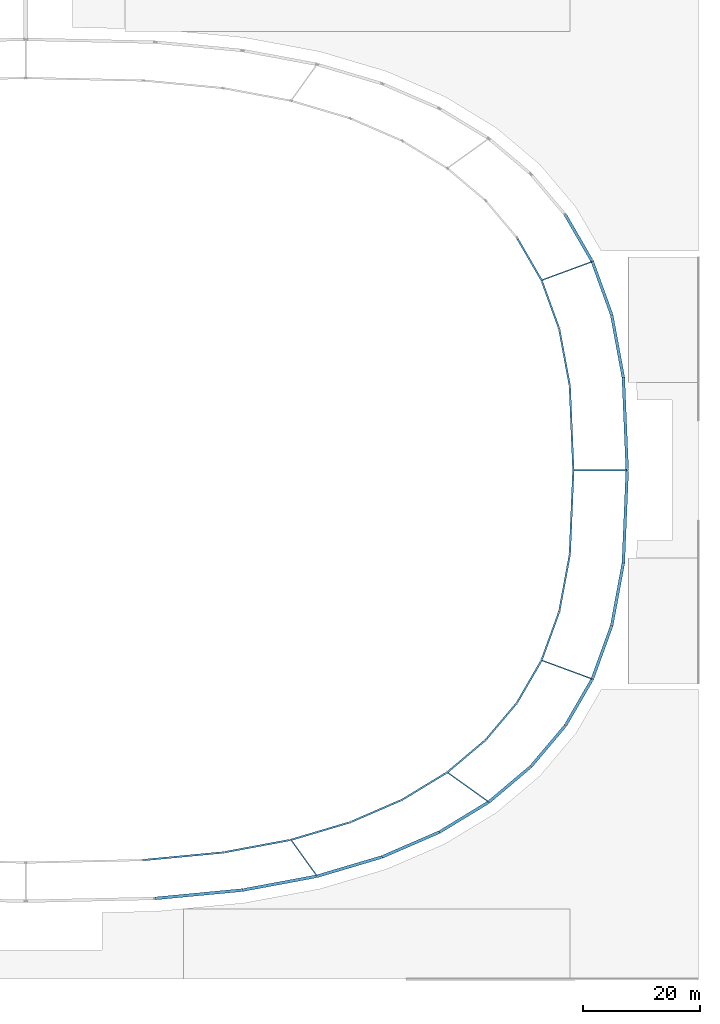
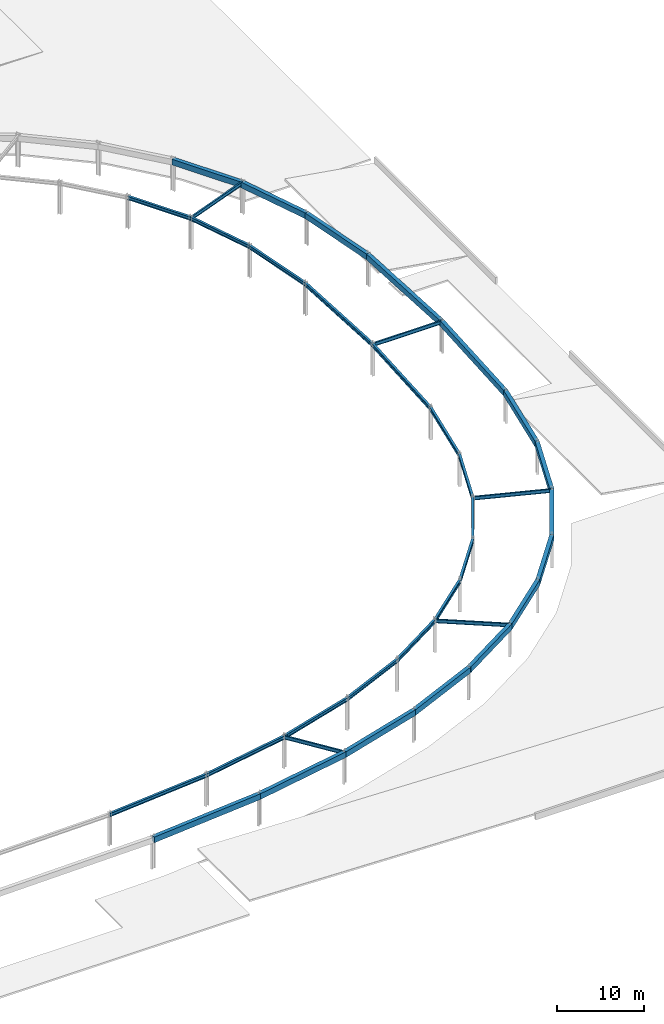
# One storey, part 23 of 45: 35 beams.
"""IFC4 building model written with IfcOpenShell, lengths in metres."""

import ifcopenshell
import ifcopenshell.guid

model = None  # the IFC model being written
_history = None  # IfcOwnerHistory: only IFC2X3 demands one
_inside = {}  # id of a spatial element -> (the spatial element, [elements in it])
_under = {}  # id of a project, library or spatial element -> (it, [spatial elements below it])
_declared = {}  # id of a project -> (the project, [libraries it declares])
_typed = {}  # id of a type object -> (the type object, [elements of that type])
_made_of = {}  # id of a material, layer set ... -> (it, [elements and type objects made of it])


def new_model(schema):
    """Start an empty IFC model of exactly this schema.

    Asked for "IFC4X3", IfcOpenShell would pick the latest addendum, in which some entities
    have other attributes; the version numbers below select the first issue.
    IFC2X3 requires an IfcOwnerHistory on every rooted entity: one is made here for all.
    """
    global model, _history
    if schema == "IFC4X3":
        model = ifcopenshell.file(schema_version=(4, 3, 0, 0))
    else:
        model = ifcopenshell.file(schema=schema)
    _inside.clear()
    _under.clear()
    _declared.clear()
    _typed.clear()
    _made_of.clear()
    _history = None
    if model.schema == "IFC2X3":
        org = make("IfcOrganization", Name="unknown")
        user = make(
            "IfcPersonAndOrganization",
            ThePerson=make("IfcPerson", FamilyName="unknown"),
            TheOrganization=org,
        )
        app = make(
            "IfcApplication",
            ApplicationDeveloper=org,
            Version="unknown",
            ApplicationFullName="unknown",
            ApplicationIdentifier="unknown",
        )
        _history = make(
            "IfcOwnerHistory",
            OwningUser=user,
            OwningApplication=app,
            ChangeAction="ADDED",
            CreationDate=0,
        )
    return model


def make(cls, **values):
    """One entity of the class cls with the attributes given. An attribute that is None is left unset."""
    return model.create_entity(
        cls, **{name: value for name, value in values.items() if value is not None}
    )


def rooted(cls, **values):
    """An entity with a GlobalId (a new one), such as an element, a storey or a relation."""
    return make(cls, GlobalId=ifcopenshell.guid.new(), OwnerHistory=_history, **values)


def si_unit(unit_type, name, prefix=None):
    """IfcSIUnit, for example si_unit("LENGTHUNIT", "METRE", prefix="MILLI")."""
    return make("IfcSIUnit", UnitType=unit_type, Prefix=prefix, Name=name)


def assignment(units):
    """IfcUnitAssignment: the units of a project."""
    return None if units is None else make("IfcUnitAssignment", Units=units)


def point(xyz):
    """IfcCartesianPoint."""
    return None if xyz is None else make("IfcCartesianPoint", Coordinates=xyz)


def direction(xyz):
    """IfcDirection."""
    return None if xyz is None else make("IfcDirection", DirectionRatios=xyz)


def frame(location, z_axis=None, x_axis=None):
    """IfcAxis2Placement3D, a coordinate frame: its origin and axes. An axis left out is left unset."""
    return make(
        "IfcAxis2Placement3D",
        Location=point(location),
        Axis=direction(z_axis),
        RefDirection=direction(x_axis),
    )


def frame_2d(location, x_axis=None):
    """IfcAxis2Placement2D, a coordinate frame in the plane: its origin and x axis."""
    return make(
        "IfcAxis2Placement2D", Location=point(location), RefDirection=direction(x_axis)
    )


def origin():
    """The frame at (0, 0, 0) with its axes left unset."""
    return frame((0.0, 0.0, 0.0))


def origin_2d():
    """The frame at (0, 0) in the plane with its x axis left unset."""
    return frame_2d((0.0, 0.0))


def place(relative_to, where):
    """IfcLocalPlacement: puts the frame where relative to a parent placement (None: the world)."""
    return make(
        "IfcLocalPlacement", PlacementRelTo=relative_to, RelativePlacement=where
    )


def context(
    kind, dimensions, precision=None, world=None, true_north=None, identifier=None
):
    """IfcGeometricRepresentationContext, for example the 3D "Model" context."""
    return make(
        "IfcGeometricRepresentationContext",
        ContextIdentifier=identifier,
        ContextType=kind,
        CoordinateSpaceDimension=dimensions,
        Precision=precision,
        WorldCoordinateSystem=world,
        TrueNorth=true_north,
    )


def subcontext(parent, identifier, kind, view, scale=None):
    """IfcGeometricRepresentationSubContext, for example "Body" below "Model"."""
    return make(
        "IfcGeometricRepresentationSubContext",
        ContextIdentifier=identifier,
        ContextType=kind,
        ParentContext=parent,
        TargetScale=scale,
        TargetView=view,
    )


def project(units=None, contexts=None):
    """IfcProject with its units and contexts."""
    return rooted(
        "IfcProject",
        Name="project",
        RepresentationContexts=contexts,
        UnitsInContext=assignment(units),
    )


def spatial(cls, under=None, at=None, **own):
    """A site, building, storey or space (cls), placed at a placement, below another one or the project."""
    s = rooted(cls, ObjectPlacement=at, **own)
    if under is not None:
        _under.setdefault(under.id(), (under, []))[1].append(s)
    return s


def profile(cls, at=None, kind="AREA", **sizes):
    """A parametric profile (cls). Its sizes go by their IFC names, for example OverallWidth=200.0."""
    return make(cls, ProfileType=kind, Position=at, **sizes)


def rectangle(**sizes):
    """IfcRectangleProfileDef."""
    return profile("IfcRectangleProfileDef", **sizes)


def i_section(**sizes):
    """IfcIShapeProfileDef."""
    return profile("IfcIShapeProfileDef", **sizes)


def extrude(swept, where, along, depth):
    """IfcExtrudedAreaSolid: the profile swept, set in the frame where, extruded along a direction by depth."""
    return make(
        "IfcExtrudedAreaSolid",
        SweptArea=swept,
        Position=where,
        ExtrudedDirection=direction(along),
        Depth=depth,
    )


def shape(context_of_items, identifier, shape_type, items):
    """IfcShapeRepresentation: the items that make up one representation, for example the "Body"."""
    return make(
        "IfcShapeRepresentation",
        ContextOfItems=context_of_items,
        RepresentationIdentifier=identifier,
        RepresentationType=shape_type,
        Items=items,
    )


def material(Name=None, Category=None):
    """IfcMaterial."""
    return make("IfcMaterial", Name=Name, Category=Category)


def material_profile(
    of_material, cross_section, Name=None, Category=None, Priority=None
):
    """IfcMaterialProfile: a cross section and its material."""
    return make(
        "IfcMaterialProfile",
        Name=Name,
        Material=of_material,
        Profile=cross_section,
        Priority=Priority,
        Category=Category,
    )


def profile_set(profiles, Name=None, composite=None):
    """IfcMaterialProfileSet."""
    return make(
        "IfcMaterialProfileSet",
        Name=Name,
        MaterialProfiles=profiles,
        CompositeProfile=composite,
    )


def made_of(thing, what):
    """Note that an element or type object is made of a material, layer set ...; save() writes the relation."""
    if what is not None:
        _made_of.setdefault(what.id(), (what, []))[1].append(thing)
    return thing


def type_object(cls, material=None, **own):
    """A type object (cls), such as IfcWallType, which elements share."""
    return made_of(rooted(cls, **own), material)


def element(
    cls,
    number,
    at=None,
    inside=None,
    cuts=None,
    type_object=None,
    material=None,
    context=None,
    identifier="Body",
    shape_type=None,
    held_by="IfcProductDefinitionShape",
    body=None,
    shapes=None,
    **own,
):
    """One element of the class cls, such as IfcWall. Its Tag is "e" and its number.

    at: its placement. inside: the storey or other place that contains it. cuts: it is an
    opening in that element (IfcRelVoidsElement). A single representation is given by context,
    identifier, shape_type and body (its items); several are given by shapes. held_by: the class
    of the entity that holds the representations. save() writes the other relations.
    """
    e = rooted(cls, Tag="e%d" % number, ObjectPlacement=at, **own)
    if body is not None:
        shapes = [shape(context, identifier, shape_type, body)]
    if shapes is not None:
        e.Representation = make(held_by, Representations=shapes)
    if inside is not None:
        _inside.setdefault(inside.id(), (inside, []))[1].append(e)
    if cuts is not None:
        rooted(
            "IfcRelVoidsElement", RelatingBuildingElement=cuts, RelatedOpeningElement=e
        )
    if type_object is not None:
        _typed.setdefault(type_object.id(), (type_object, []))[1].append(e)
    return made_of(e, material)


def aggregate(whole, parts):
    """IfcRelAggregates: a whole, such as a stair, and the parts it consists of."""
    return rooted("IfcRelAggregates", RelatingObject=whole, RelatedObjects=parts)


def save(model, path):
    """Write the relations noted so far, then the file.

    IfcRelAggregates (storeys below a building ...), IfcRelContainedInSpatialStructure (elements
    in a storey), IfcRelDefinesByType, IfcRelAssociatesMaterial and IfcRelDeclares: one each for
    every whole, place, type object, material and project.
    """
    for whole, parts in _under.values():
        aggregate(whole, parts)
    for where, things in _inside.values():
        rooted(
            "IfcRelContainedInSpatialStructure",
            RelatedElements=things,
            RelatingStructure=where,
        )
    for kind, things in _typed.values():
        rooted("IfcRelDefinesByType", RelatedObjects=things, RelatingType=kind)
    for what, things in _made_of.values():
        rooted("IfcRelAssociatesMaterial", RelatedObjects=things, RelatingMaterial=what)
    for by, libraries in _declared.values():
        rooted("IfcRelDeclares", RelatingContext=by, RelatedDefinitions=libraries)
    model.write(path)


model = new_model("IFC4")

# Units and contexts
model_context = context("Model", 3, precision=1e-05, world=origin(), true_north=direction((0.0, 1.0)))
body_context = subcontext(model_context, "Body", "Model", "MODEL_VIEW")
ifc_project = project(units=[si_unit("LENGTHUNIT", "METRE"), si_unit("AREAUNIT", "SQUARE_METRE"), si_unit("VOLUMEUNIT", "CUBIC_METRE"), si_unit("PLANEANGLEUNIT", "RADIAN"), si_unit("MASSUNIT", "GRAM", prefix="KILO")], contexts=[model_context])

# Site, building, storey
site_placement = place(None, origin())
site = spatial("IfcSite", under=ifc_project, at=site_placement, CompositionType="ELEMENT")
building_placement = place(site_placement, origin())
building = spatial("IfcBuilding", under=site, at=building_placement, Name="Mphavela Belvedere Stadium", CompositionType="ELEMENT")
storey_placement = place(building_placement, frame((0.0, 0.0, 24.0)))
storey = spatial("IfcBuildingStorey", under=building, at=storey_placement, Name="L05", CompositionType="ELEMENT", Elevation=24.0)

# Beams
ifc_material_1 = material(Name="Concrete C40/50", Category="concrete")
ifc_material_profile_1 = material_profile(ifc_material_1, rectangle(XDim=0.5, YDim=0.800048828125, at=origin_2d()), Name="RC 500x800")
ifc_profile_set_1 = profile_set([ifc_material_profile_1], Name="Concrete C40/50")
beam_type_1 = type_object("IfcBeamType", Name="BM-SPANDREL-800", PredefinedType="SPANDREL", material=ifc_profile_set_1)
beam_1_placement = place(storey_placement, frame((217.820068359375, 87.0, 4.14990234375), z_axis=(-0.041903963155, 0.999121643181, 0.0), x_axis=(-0.999121643181, -0.041903963155, 0.0)))
element("IfcBeam", 1, at=beam_1_placement, inside=storey, type_object=beam_type_1, Name="Circumferential girder L05 R4-01", PredefinedType="SPANDREL", context=body_context, shape_type="SweptSolid", body=[
    extrude(rectangle(XDim=0.5, YDim=0.800048828125, at=origin_2d()), origin(), (0.0, 0.0, 1.0), 15.85888671875),
])
beam_2_placement = place(storey_placement, frame((217.155517578125, 102.844970703125, 4.14990234375), z_axis=(-0.18264260648, 0.983179372393, 0.0), x_axis=(-0.983179372393, -0.18264260648, 0.0)))
element("IfcBeam", 2, at=beam_2_placement, inside=storey, type_object=beam_type_1, Name="Circumferential girder L05 R4-02", PredefinedType="SPANDREL", context=body_context, shape_type="SweptSolid", body=[
    extrude(rectangle(XDim=0.5, YDim=0.800048828125, at=origin_2d()), origin(), (0.0, 0.0, 1.0), 10.90087890625),
])
beam_3_placement = place(storey_placement, frame((215.16455078125, 113.5625, 4.14990234375), z_axis=(-0.341017570596, 0.94005692197, 0.0), x_axis=(-0.94005692197, -0.341017570596, 0.0)))
element("IfcBeam", 3, at=beam_3_placement, inside=storey, type_object=beam_type_1, Name="Circumferential girder L05 R4-03", PredefinedType="SPANDREL", context=body_context, shape_type="SweptSolid", body=[
    extrude(rectangle(XDim=0.5, YDim=0.800048828125, at=origin_2d()), origin(), (0.0, 0.0, 1.0), 9.701416015625),
])
beam_4_placement = place(storey_placement, frame((211.856201171875, 122.682373046875, 4.14990234375), z_axis=(-0.500565297122, 0.865698783248, 0.0), x_axis=(-0.865698783248, -0.500565297122, 0.0)))
element("IfcBeam", 4, at=beam_4_placement, inside=storey, type_object=beam_type_1, Name="Circumferential girder L05 R4-04", PredefinedType="SPANDREL", context=body_context, shape_type="SweptSolid", body=[
    extrude(rectangle(XDim=0.5, YDim=0.800048828125, at=origin_2d()), origin(), (0.0, 0.0, 1.0), 9.217041015625),
])
beam_5_placement = place(storey_placement, frame((137.114501953125, 13.80615234375, 4.14990234375), z_axis=(0.995483415661, 0.094935605244, 0.0), x_axis=(-0.094935605244, 0.995483415661, 0.0)))
element("IfcBeam", 5, at=beam_5_placement, inside=storey, type_object=beam_type_1, Name="Circumferential girder L05 R4-38", PredefinedType="SPANDREL", context=body_context, shape_type="SweptSolid", body=[
    extrude(rectangle(XDim=0.5, YDim=0.800048828125, at=origin_2d()), origin(), (0.0, 0.0, 1.0), 15.026123046875),
])
beam_6_placement = place(storey_placement, frame((152.07275390625, 15.232666015625, 4.14990234375), z_axis=(0.983098571421, 0.183077029882, 0.0), x_axis=(-0.183077029882, 0.983098571421, 0.0)))
element("IfcBeam", 6, at=beam_6_placement, inside=storey, type_object=beam_type_1, Name="Circumferential girder L05 R4-39", PredefinedType="SPANDREL", context=body_context, shape_type="SweptSolid", body=[
    extrude(rectangle(XDim=0.5, YDim=0.800048828125, at=origin_2d()), origin(), (0.0, 0.0, 1.0), 12.947265625),
])
beam_7_placement = place(storey_placement, frame((164.80126953125, 17.60302734375, 4.14990234375), z_axis=(0.958656362639, 0.284566298727, 0.0), x_axis=(-0.284566298727, 0.958656362639, 0.0)))
element("IfcBeam", 7, at=beam_7_placement, inside=storey, type_object=beam_type_1, Name="Circumferential girder L05 R4-40", PredefinedType="SPANDREL", context=body_context, shape_type="SweptSolid", body=[
    extrude(rectangle(XDim=0.5, YDim=0.800048828125, at=origin_2d()), origin(), (0.0, 0.0, 1.0), 11.616455078125),
])
beam_8_placement = place(storey_placement, frame((175.9375, 20.90869140625, 4.14990234375), z_axis=(0.91749867224, 0.397738842004, 0.0), x_axis=(-0.397738842004, 0.91749867224, 0.0)))
element("IfcBeam", 8, at=beam_8_placement, inside=storey, type_object=beam_type_1, Name="Circumferential girder L05 R4-41", PredefinedType="SPANDREL", context=body_context, shape_type="SweptSolid", body=[
    extrude(rectangle(XDim=0.5, YDim=0.800048828125, at=origin_2d()), origin(), (0.0, 0.0, 1.0), 10.63623046875),
])
beam_9_placement = place(storey_placement, frame((185.6962890625, 25.13916015625, 4.14990234375), z_axis=(0.854326607994, 0.51973651678, 0.0), x_axis=(-0.51973651678, 0.854326607994, 0.0)))
element("IfcBeam", 9, at=beam_9_placement, inside=storey, type_object=beam_type_1, Name="Circumferential girder L05 R4-42", PredefinedType="SPANDREL", context=body_context, shape_type="SweptSolid", body=[
    extrude(rectangle(XDim=0.5, YDim=0.800048828125, at=origin_2d()), origin(), (0.0, 0.0, 1.0), 9.901611328125),
])
beam_10_placement = place(storey_placement, frame((194.155517578125, 30.285400390625, 4.14990234375), z_axis=(0.76426547638, 0.644901761212, 0.0), x_axis=(-0.644901761212, 0.76426547638, 0.0)))
element("IfcBeam", 10, at=beam_10_placement, inside=storey, type_object=beam_type_1, Name="Circumferential girder L05 R4-43", PredefinedType="SPANDREL", context=body_context, shape_type="SweptSolid", body=[
    extrude(rectangle(XDim=0.5, YDim=0.800048828125, at=origin_2d()), origin(), (0.0, 0.0, 1.0), 9.3984375),
])
beam_11_placement = place(storey_placement, frame((201.33837890625, 36.346435546875, 4.14990234375), z_axis=(0.645164552218, 0.764043650952, 0.0), x_axis=(-0.764043650952, 0.645164552218, 0.0)))
element("IfcBeam", 11, at=beam_11_placement, inside=storey, type_object=beam_type_1, Name="Circumferential girder L05 R4-44", PredefinedType="SPANDREL", context=body_context, shape_type="SweptSolid", body=[
    extrude(rectangle(XDim=0.5, YDim=0.800048828125, at=origin_2d()), origin(), (0.0, 0.0, 1.0), 9.151123046875),
])
beam_12_placement = place(storey_placement, frame((207.242431640625, 43.33837890625, 4.14990234375), z_axis=(0.500565297122, 0.865698783248, 0.0), x_axis=(-0.865698783248, 0.500565297122, 0.0)))
element("IfcBeam", 12, at=beam_12_placement, inside=storey, type_object=beam_type_1, Name="Circumferential girder L05 R4-45", PredefinedType="SPANDREL", context=body_context, shape_type="SweptSolid", body=[
    extrude(rectangle(XDim=0.5, YDim=0.800048828125, at=origin_2d()), origin(), (0.0, 0.0, 1.0), 9.217041015625),
])
beam_13_placement = place(storey_placement, frame((211.856201171875, 51.317626953125, 4.14990234375), z_axis=(0.341017570596, 0.94005692197, 0.0), x_axis=(-0.94005692197, 0.341017570596, 0.0)))
element("IfcBeam", 13, at=beam_13_placement, inside=storey, type_object=beam_type_1, Name="Circumferential girder L05 R4-46", PredefinedType="SPANDREL", context=body_context, shape_type="SweptSolid", body=[
    extrude(rectangle(XDim=0.5, YDim=0.800048828125, at=origin_2d()), origin(), (0.0, 0.0, 1.0), 9.701416015625),
])
beam_14_placement = place(storey_placement, frame((215.16455078125, 60.4375, 4.14990234375), z_axis=(0.18264260648, 0.983179372393, 0.0), x_axis=(-0.983179372393, 0.18264260648, 0.0)))
element("IfcBeam", 14, at=beam_14_placement, inside=storey, type_object=beam_type_1, Name="Circumferential girder L05 R4-47", PredefinedType="SPANDREL", context=body_context, shape_type="SweptSolid", body=[
    extrude(rectangle(XDim=0.5, YDim=0.800048828125, at=origin_2d()), origin(), (0.0, 0.0, 1.0), 10.90087890625),
])
beam_15_placement = place(storey_placement, frame((217.155517578125, 71.155029296875, 4.14990234375), z_axis=(0.041903963155, 0.999121643181, 0.0), x_axis=(-0.999121643181, 0.041903963155, 0.0)))
element("IfcBeam", 15, at=beam_15_placement, inside=storey, type_object=beam_type_1, Name="Circumferential girder L05 R4-48", PredefinedType="SPANDREL", context=body_context, shape_type="SweptSolid", body=[
    extrude(rectangle(XDim=0.5, YDim=0.800048828125, at=origin_2d()), origin(), (0.0, 0.0, 1.0), 15.85888671875),
])
ifc_material_2 = material(Name="Steel S355", Category="steel")
ifc_material_profile_2 = material_profile(ifc_material_2, i_section(OverallWidth=0.300048828125, OverallDepth=0.489990234375, WebThickness=0.011962890625, FlangeThickness=0.02294921875, at=origin_2d()), Name="HEA 500")
ifc_profile_set_2 = profile_set([ifc_material_profile_2], Name="Steel S355")
beam_type_2 = type_object("IfcBeamType", Name="BM-STEEL-HEA500", PredefinedType="BEAM", material=ifc_profile_set_2)
beam_16_placement = place(storey_placement, frame((208.60498046875, 87.0, 4.304931640625), z_axis=(-0.041903450766, 0.99912166467, 0.0), x_axis=(-0.99912166467, -0.041903450766, 0.0)))
element("IfcBeam", 16, at=beam_16_placement, inside=storey, type_object=beam_type_2, Name="Circumferential girder L05 R3-01", PredefinedType="BEAM", context=body_context, shape_type="SweptSolid", body=[
    extrude(i_section(OverallWidth=0.300048828125, OverallDepth=0.489990234375, WebThickness=0.011962890625, FlangeThickness=0.02294921875, at=origin_2d()), origin(), (0.0, 0.0, 1.0), 14.4375),
])
beam_17_placement = place(storey_placement, frame((208.0, 101.4248046875, 4.304931640625), z_axis=(-0.182638056683, 0.983180217585, 0.0), x_axis=(-0.983180217585, -0.182638056683, 0.0)))
element("IfcBeam", 17, at=beam_17_placement, inside=storey, type_object=beam_type_2, Name="Circumferential girder L05 R3-02", PredefinedType="BEAM", context=body_context, shape_type="SweptSolid", body=[
    extrude(i_section(OverallWidth=0.300048828125, OverallDepth=0.489990234375, WebThickness=0.011962890625, FlangeThickness=0.02294921875, at=origin_2d()), origin(), (0.0, 0.0, 1.0), 9.924072265625),
])
beam_18_placement = place(storey_placement, frame((206.1875, 111.181884765625, 4.304931640625), z_axis=(-0.341030504348, 0.940052229987, 0.0), x_axis=(-0.940052229987, -0.341030504348, 0.0)))
element("IfcBeam", 18, at=beam_18_placement, inside=storey, type_object=beam_type_2, Name="Circumferential girder L05 R3-03", PredefinedType="BEAM", context=body_context, shape_type="SweptSolid", body=[
    extrude(i_section(OverallWidth=0.300048828125, OverallDepth=0.489990234375, WebThickness=0.011962890625, FlangeThickness=0.02294921875, at=origin_2d()), origin(), (0.0, 0.0, 1.0), 8.83203125),
])
beam_19_placement = place(storey_placement, frame((203.175537109375, 119.484375, 4.304931640625), z_axis=(-0.500547586322, 0.865709023765, 0.0), x_axis=(-0.865709023765, -0.500547586322, 0.0)))
element("IfcBeam", 19, at=beam_19_placement, inside=storey, type_object=beam_type_2, Name="Circumferential girder L05 R3-04", PredefinedType="BEAM", context=body_context, shape_type="SweptSolid", body=[
    extrude(i_section(OverallWidth=0.300048828125, OverallDepth=0.489990234375, WebThickness=0.011962890625, FlangeThickness=0.02294921875, at=origin_2d()), origin(), (0.0, 0.0, 1.0), 8.390625),
])
beam_20_placement = place(storey_placement, frame((135.1328125, 20.365966796875, 4.304931640625), z_axis=(0.995483834103, 0.094931217412, 0.0), x_axis=(-0.094931217412, 0.995483834103, 0.0)))
element("IfcBeam", 20, at=beam_20_placement, inside=storey, type_object=beam_type_2, Name="Circumferential girder L05 R3-38", PredefinedType="BEAM", context=body_context, shape_type="SweptSolid", body=[
    extrude(i_section(OverallWidth=0.300048828125, OverallDepth=0.489990234375, WebThickness=0.011962890625, FlangeThickness=0.02294921875, at=origin_2d()), origin(), (0.0, 0.0, 1.0), 13.67919921875),
])
beam_21_placement = place(storey_placement, frame((148.750244140625, 21.66455078125, 4.304931640625), z_axis=(0.983097725009, 0.18308157494, 0.0), x_axis=(-0.18308157494, 0.983097725009, 0.0)))
element("IfcBeam", 21, at=beam_21_placement, inside=storey, type_object=beam_type_2, Name="Circumferential girder L05 R3-39", PredefinedType="BEAM", context=body_context, shape_type="SweptSolid", body=[
    extrude(i_section(OverallWidth=0.300048828125, OverallDepth=0.489990234375, WebThickness=0.011962890625, FlangeThickness=0.02294921875, at=origin_2d()), origin(), (0.0, 0.0, 1.0), 11.786865234375),
])
beam_22_placement = place(storey_placement, frame((160.337890625, 23.822509765625, 4.304931640625), z_axis=(0.958655230784, 0.284570111731, 0.0), x_axis=(-0.284570111731, 0.958655230784, 0.0)))
element("IfcBeam", 22, at=beam_22_placement, inside=storey, type_object=beam_type_2, Name="Circumferential girder L05 R3-40", PredefinedType="BEAM", context=body_context, shape_type="SweptSolid", body=[
    extrude(i_section(OverallWidth=0.300048828125, OverallDepth=0.489990234375, WebThickness=0.011962890625, FlangeThickness=0.02294921875, at=origin_2d()), origin(), (0.0, 0.0, 1.0), 10.57568359375),
])
beam_23_placement = place(storey_placement, frame((170.476318359375, 26.83203125, 4.304931640625), z_axis=(0.917501650019, 0.397731972832, 0.0), x_axis=(-0.397731972832, 0.917501650019, 0.0)))
element("IfcBeam", 23, at=beam_23_placement, inside=storey, type_object=beam_type_2, Name="Circumferential girder L05 R3-41", PredefinedType="BEAM", context=body_context, shape_type="SweptSolid", body=[
    extrude(i_section(OverallWidth=0.300048828125, OverallDepth=0.489990234375, WebThickness=0.011962890625, FlangeThickness=0.02294921875, at=origin_2d()), origin(), (0.0, 0.0, 1.0), 9.6826171875),
])
beam_24_placement = place(storey_placement, frame((179.360107421875, 30.68310546875, 4.304931640625), z_axis=(0.854315160357, 0.519755333579, 0.0), x_axis=(-0.519755333579, 0.854315160357, 0.0)))
element("IfcBeam", 24, at=beam_24_placement, inside=storey, type_object=beam_type_2, Name="Circumferential girder L05 R3-42", PredefinedType="BEAM", context=body_context, shape_type="SweptSolid", body=[
    extrude(i_section(OverallWidth=0.300048828125, OverallDepth=0.489990234375, WebThickness=0.011962890625, FlangeThickness=0.02294921875, at=origin_2d()), origin(), (0.0, 0.0, 1.0), 9.014404296875),
])
beam_25_placement = place(storey_placement, frame((187.061279296875, 35.368408203125, 4.304931640625), z_axis=(0.764263355392, 0.644904274761, 0.0), x_axis=(-0.644904274761, 0.764263355392, 0.0)))
element("IfcBeam", 25, at=beam_25_placement, inside=storey, type_object=beam_type_2, Name="Circumferential girder L05 R3-43", PredefinedType="BEAM", context=body_context, shape_type="SweptSolid", body=[
    extrude(i_section(OverallWidth=0.300048828125, OverallDepth=0.489990234375, WebThickness=0.011962890625, FlangeThickness=0.02294921875, at=origin_2d()), origin(), (0.0, 0.0, 1.0), 8.55615234375),
])
beam_26_placement = place(storey_placement, frame((193.600341796875, 40.88623046875, 4.304931640625), z_axis=(0.645177396673, 0.764032804808, 0.0), x_axis=(-0.764032804808, 0.645177396673, 0.0)))
element("IfcBeam", 26, at=beam_26_placement, inside=storey, type_object=beam_type_2, Name="Circumferential girder L05 R3-44", PredefinedType="BEAM", context=body_context, shape_type="SweptSolid", body=[
    extrude(i_section(OverallWidth=0.300048828125, OverallDepth=0.489990234375, WebThickness=0.011962890625, FlangeThickness=0.02294921875, at=origin_2d()), origin(), (0.0, 0.0, 1.0), 8.331298828125),
])
beam_27_placement = place(storey_placement, frame((198.9755859375, 47.251708984375, 4.304931640625), z_axis=(0.500547586322, 0.865709023765, 0.0), x_axis=(-0.865709023765, 0.500547586322, 0.0)))
element("IfcBeam", 27, at=beam_27_placement, inside=storey, type_object=beam_type_2, Name="Circumferential girder L05 R3-45", PredefinedType="BEAM", context=body_context, shape_type="SweptSolid", body=[
    extrude(i_section(OverallWidth=0.300048828125, OverallDepth=0.489990234375, WebThickness=0.011962890625, FlangeThickness=0.02294921875, at=origin_2d()), origin(), (0.0, 0.0, 1.0), 8.390625),
])
beam_28_placement = place(storey_placement, frame((203.175537109375, 54.515625, 4.304931640625), z_axis=(0.341030504348, 0.940052229987, 0.0), x_axis=(-0.940052229987, 0.341030504348, 0.0)))
element("IfcBeam", 28, at=beam_28_placement, inside=storey, type_object=beam_type_2, Name="Circumferential girder L05 R3-46", PredefinedType="BEAM", context=body_context, shape_type="SweptSolid", body=[
    extrude(i_section(OverallWidth=0.300048828125, OverallDepth=0.489990234375, WebThickness=0.011962890625, FlangeThickness=0.02294921875, at=origin_2d()), origin(), (0.0, 0.0, 1.0), 8.83203125),
])
beam_29_placement = place(storey_placement, frame((206.1875, 62.818115234375, 4.304931640625), z_axis=(0.182638056683, 0.983180217585, 0.0), x_axis=(-0.983180217585, 0.182638056683, 0.0)))
element("IfcBeam", 29, at=beam_29_placement, inside=storey, type_object=beam_type_2, Name="Circumferential girder L05 R3-47", PredefinedType="BEAM", context=body_context, shape_type="SweptSolid", body=[
    extrude(i_section(OverallWidth=0.300048828125, OverallDepth=0.489990234375, WebThickness=0.011962890625, FlangeThickness=0.02294921875, at=origin_2d()), origin(), (0.0, 0.0, 1.0), 9.924072265625),
])
beam_30_placement = place(storey_placement, frame((208.0, 72.5751953125, 4.304931640625), z_axis=(0.041903450766, 0.99912166467, 0.0), x_axis=(-0.99912166467, 0.041903450766, 0.0)))
element("IfcBeam", 30, at=beam_30_placement, inside=storey, type_object=beam_type_2, Name="Circumferential girder L05 R3-48", PredefinedType="BEAM", context=body_context, shape_type="SweptSolid", body=[
    extrude(i_section(OverallWidth=0.300048828125, OverallDepth=0.489990234375, WebThickness=0.011962890625, FlangeThickness=0.02294921875, at=origin_2d()), origin(), (0.0, 0.0, 1.0), 14.4375),
])
ifc_material_3 = material(Name="Steel S355", Category="steel")
ifc_material_profile_3 = material_profile(ifc_material_3, i_section(OverallWidth=0.199951171875, OverallDepth=0.5, WebThickness=0.01025390625, FlangeThickness=0.01611328125, at=origin_2d()), Name="IPE 500")
ifc_profile_set_3 = profile_set([ifc_material_profile_3], Name="Steel S355")
beam_type_3 = type_object("IfcBeamType", Name="BM-STEEL-IPE500", PredefinedType="BEAM", material=ifc_profile_set_3)
beam_31_placement = place(storey_placement, frame((208.60498046875, 87.0, 4.300048828125), z_axis=(1.0, 0.0, 0.0), x_axis=(0.0, 1.0, 0.0)))
element("IfcBeam", 31, at=beam_31_placement, inside=storey, type_object=beam_type_3, Name="Radial concourse girder L05 R3R4-01", PredefinedType="BEAM", context=body_context, shape_type="SweptSolid", body=[
    extrude(i_section(OverallWidth=0.199951171875, OverallDepth=0.5, WebThickness=0.01025390625, FlangeThickness=0.01611328125, at=origin_2d()), origin(), (0.0, 0.0, 1.0), 9.215087890625),
])
beam_32_placement = place(storey_placement, frame((203.175537109375, 119.484375, 4.300048828125), z_axis=(0.938348073025, 0.345691905967, 0.0), x_axis=(-0.345691905967, 0.938348073025, 0.0)))
element("IfcBeam", 32, at=beam_32_placement, inside=storey, type_object=beam_type_3, Name="Radial concourse girder L05 R3R4-04", PredefinedType="BEAM", context=body_context, shape_type="SweptSolid", body=[
    extrude(i_section(OverallWidth=0.199951171875, OverallDepth=0.5, WebThickness=0.01025390625, FlangeThickness=0.01611328125, at=origin_2d()), origin(), (0.0, 0.0, 1.0), 9.2509765625),
])
beam_33_placement = place(storey_placement, frame((160.337890625, 23.822509765625, 4.300048828125), z_axis=(0.583043812448, -0.812440713385, 0.0), x_axis=(0.812440713385, 0.583043812448, 0.0)))
element("IfcBeam", 33, at=beam_33_placement, inside=storey, type_object=beam_type_3, Name="Radial concourse girder L05 R3R4-40", PredefinedType="BEAM", context=body_context, shape_type="SweptSolid", body=[
    extrude(i_section(OverallWidth=0.199951171875, OverallDepth=0.5, WebThickness=0.01025390625, FlangeThickness=0.01611328125, at=origin_2d()), origin(), (0.0, 0.0, 1.0), 7.6552734375),
])
beam_34_placement = place(storey_placement, frame((187.061279296875, 35.368408203125, 4.300048828125), z_axis=(0.812882024932, -0.582428376319, 0.0), x_axis=(0.582428376319, 0.812882024932, 0.0)))
element("IfcBeam", 34, at=beam_34_placement, inside=storey, type_object=beam_type_3, Name="Radial concourse girder L05 R3R4-43", PredefinedType="BEAM", context=body_context, shape_type="SweptSolid", body=[
    extrude(i_section(OverallWidth=0.199951171875, OverallDepth=0.5, WebThickness=0.01025390625, FlangeThickness=0.01611328125, at=origin_2d()), origin(), (0.0, 0.0, 1.0), 8.727294921875),
])
beam_35_placement = place(storey_placement, frame((203.175537109375, 54.515625, 4.300048828125), z_axis=(0.938348073025, -0.345691905967, 0.0), x_axis=(0.345691905967, 0.938348073025, 0.0)))
element("IfcBeam", 35, at=beam_35_placement, inside=storey, type_object=beam_type_3, Name="Radial concourse girder L05 R3R4-46", PredefinedType="BEAM", context=body_context, shape_type="SweptSolid", body=[
    extrude(i_section(OverallWidth=0.199951171875, OverallDepth=0.5, WebThickness=0.01025390625, FlangeThickness=0.01611328125, at=origin_2d()), origin(), (0.0, 0.0, 1.0), 9.2509765625),
])

save(model, "model.ifc")
